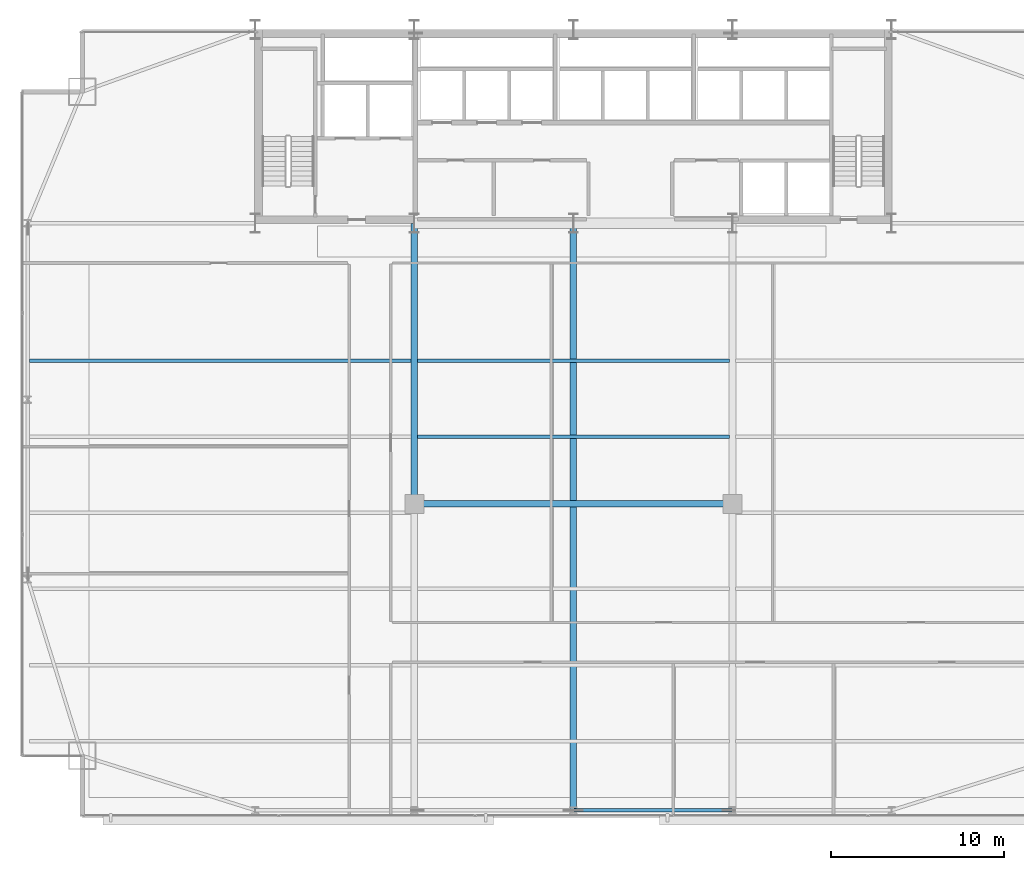
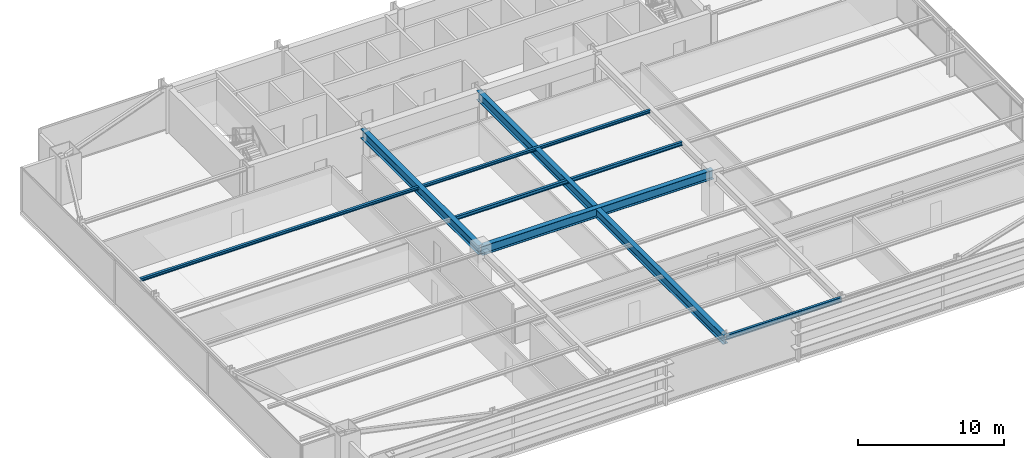
# One storey, part 11 of 32: 7 beams.
"""IFC4 building model written with IfcOpenShell, lengths in metres."""

from ifc_helpers import new_model, si_unit, direction, frame, origin, origin_2d, place, context, subcontext, project, spatial, i_section, extrude, source, transform, mapped, material, material_profile, profile_set, type_object, type_shapes, element, save


model = new_model("IFC4")

# Units and contexts
model_context = context("Model", 3, precision=1e-05, world=origin(), true_north=direction((0.0, 1.0)))
body_context = subcontext(model_context, "Body", "Model", "MODEL_VIEW")
ifc_project = project(units=[si_unit("LENGTHUNIT", "METRE"), si_unit("AREAUNIT", "SQUARE_METRE"), si_unit("VOLUMEUNIT", "CUBIC_METRE"), si_unit("PLANEANGLEUNIT", "RADIAN"), si_unit("MASSUNIT", "GRAM", prefix="KILO")], contexts=[model_context])

# Site, building, storey
site_placement = place(None, origin())
site = spatial("IfcSite", under=ifc_project, at=site_placement, CompositionType="ELEMENT")
building_placement = place(site_placement, origin())
building = spatial("IfcBuilding", under=site, at=building_placement, Name="Varnel Quay Broadcast Tower", CompositionType="ELEMENT")
storey_placement = place(building_placement, frame((0.0, 0.0, 54.89990234375)))
storey = spatial("IfcBuildingStorey", under=building, at=storey_placement, Name="L12", CompositionType="ELEMENT", Elevation=54.89990234375)

# Beams
ifc_material = material(Name="Structural Steel CSA G40.21 350W", Category="steel")
ifc_material_profile_1 = material_profile(ifc_material, i_section(OverallWidth=0.180908203125, OverallDepth=0.4169921875, WebThickness=0.010986328125, FlangeThickness=0.018310546875, FilletRadius=0.011962890625, at=origin_2d()), Name="W410X85")
ifc_profile_set_1 = profile_set([ifc_material_profile_1], Name="Structural Steel CSA G40.21 350W")
beam_type_1 = type_object("IfcBeamType", Name="Beam_W410X85", PredefinedType="SPANDREL", material=ifc_profile_set_1)
shared_shape_1 = source(origin(), body_context, "Body", "SweptSolid", [
    extrude(i_section(OverallWidth=0.180908203125, OverallDepth=0.4169921875, WebThickness=0.010986328125, FlangeThickness=0.018310546875, FilletRadius=0.011962890625, at=origin_2d()), origin(), (0.0, 0.0, 1.0), 9.159912109375),
])
type_shapes(beam_type_1, [shared_shape_1])
beam_1_placement = place(storey_placement, frame((34.02001953125, 1.64990234375, 3.441650390625), z_axis=(1.0, 0.0, 0.0), x_axis=(0.0, 1.0, 0.0)))
element("IfcBeam", 1, at=beam_1_placement, inside=storey, type_object=beam_type_1, Name="L12 South Spandrel TC-S3-TC-S4", PredefinedType="SPANDREL", context=body_context, shape_type="MappedRepresentation", body=[
    mapped(shared_shape_1, transform((0.0, 0.0, 0.0), x_axis=(1.0, 0.0, 0.0), y_axis=(0.0, 1.0, 0.0), z_axis=(0.0, 0.0, 1.0), scale=1.0)),
])
ifc_material_profile_2 = material_profile(ifc_material, i_section(OverallWidth=0.381103515625, OverallDepth=0.77294921875, WebThickness=0.0166015625, FlangeThickness=0.027587890625, FilletRadius=0.01806640625, at=origin_2d()), Name="W760X257")
ifc_profile_set_2 = profile_set([ifc_material_profile_2], Name="Structural Steel CSA G40.21 350W")
beam_type_2 = type_object("IfcBeamType", Name="Girder_W760X257", PredefinedType="BEAM", material=ifc_profile_set_2)
shared_shape_2 = source(origin(), body_context, "Body", "SweptSolid", [
    extrude(i_section(OverallWidth=0.381103515625, OverallDepth=0.77294921875, WebThickness=0.0166015625, FlangeThickness=0.027587890625, FilletRadius=0.01806640625, at=origin_2d()), origin(), (0.0, 0.0, 1.0), 16.190185546875),
])
beam_2_placement = place(storey_placement, frame((24.800048828125, 19.389892578125, 3.263671875), z_axis=(0.0, 1.0, 0.0), x_axis=(-1.0, 0.0, 0.0)))
element("IfcBeam", 2, at=beam_2_placement, inside=storey, type_object=beam_type_2, Name="L12 Primary Girder IC-01-CC-S2", PredefinedType="BEAM", context=body_context, shape_type="MappedRepresentation", body=[
    mapped(shared_shape_2, transform((0.0, 0.0, 0.0), x_axis=(1.0, 0.0, 0.0), y_axis=(0.0, 1.0, 0.0), z_axis=(0.0, 0.0, 1.0), scale=1.0)),
])
shared_shape_3 = source(origin(), body_context, "Body", "SweptSolid", [
    extrude(i_section(OverallWidth=0.381103515625, OverallDepth=0.77294921875, WebThickness=0.0166015625, FlangeThickness=0.027587890625, FilletRadius=0.01806640625, at=origin_2d()), origin(), (0.0, 0.0, 1.0), 18.35986328125),
])
beam_3_placement = place(storey_placement, frame((24.820068359375, 19.3701171875, 3.263671875), z_axis=(1.0, 0.0, 0.0), x_axis=(0.0, 1.0, 0.0)))
element("IfcBeam", 3, at=beam_3_placement, inside=storey, type_object=beam_type_2, Name="L12 Interior Spine Girder", PredefinedType="BEAM", context=body_context, shape_type="MappedRepresentation", body=[
    mapped(shared_shape_3, transform((0.0, 0.0, 0.0), x_axis=(1.0, 0.0, 0.0), y_axis=(0.0, 1.0, 0.0), z_axis=(0.0, 0.0, 1.0), scale=1.0)),
])
shared_shape_4 = source(origin(), body_context, "Body", "SweptSolid", [
    extrude(i_section(OverallWidth=0.381103515625, OverallDepth=0.77294921875, WebThickness=0.0166015625, FlangeThickness=0.027587890625, FilletRadius=0.01806640625, at=origin_2d()), origin(), (0.0, 0.0, 1.0), 33.91015625),
])
type_shapes(beam_type_2, [shared_shape_2, shared_shape_3, shared_shape_4])
beam_4_placement = place(storey_placement, frame((34.0, 1.669921875, 3.263671875), z_axis=(0.0, 1.0, 0.0), x_axis=(-1.0, 0.0, 0.0)))
element("IfcBeam", 4, at=beam_4_placement, inside=storey, type_object=beam_type_2, Name="L12 Central Bay Girder", PredefinedType="BEAM", context=body_context, shape_type="MappedRepresentation", body=[
    mapped(shared_shape_4, transform((0.0, 0.0, 0.0), x_axis=(1.0, 0.0, 0.0), y_axis=(0.0, 1.0, 0.0), z_axis=(0.0, 0.0, 1.0), scale=1.0)),
])
ifc_material_profile_3 = material_profile(ifc_material, i_section(OverallWidth=0.202880859375, OverallDepth=0.302978515625, WebThickness=0.007568359375, FlangeThickness=0.01318359375, FilletRadius=0.011962890625, at=origin_2d()), Name="W310X60")
ifc_profile_set_3 = profile_set([ifc_material_profile_3], Name="Structural Steel CSA G40.21 350W")
beam_type_3 = type_object("IfcBeamType", Name="Beam_W310X60", PredefinedType="JOIST", material=ifc_profile_set_3)
shared_shape_5 = source(origin(), body_context, "Body", "SweptSolid", [
    extrude(i_section(OverallWidth=0.202880859375, OverallDepth=0.302978515625, WebThickness=0.007568359375, FlangeThickness=0.01318359375, FilletRadius=0.011962890625, at=origin_2d()), origin(), (0.0, 0.0, 1.0), 18.02880859375),
])
type_shapes(beam_type_3, [shared_shape_5])
beam_5_placement = place(storey_placement, frame((24.985595703125, 23.25, 3.49853515625), z_axis=(1.0, 0.0, 0.0), x_axis=(0.0, 1.0, 0.0)))
element("IfcBeam", 5, at=beam_5_placement, inside=storey, type_object=beam_type_3, Name="L12 Central Floor Joist 5", PredefinedType="JOIST", context=body_context, shape_type="MappedRepresentation", body=[
    mapped(shared_shape_5, transform((0.0, 0.0, 0.0), x_axis=(1.0, 0.0, 0.0), y_axis=(0.0, 1.0, 0.0), z_axis=(0.0, 0.0, 1.0), scale=1.0)),
])
ifc_material_profile_4 = material_profile(ifc_material, i_section(OverallWidth=0.201904296875, OverallDepth=0.2470703125, WebThickness=0.00732421875, FlangeThickness=0.010986328125, FilletRadius=0.010986328125, at=origin_2d()), Name="W250X49")
ifc_profile_set_4 = profile_set([ifc_material_profile_4], Name="Structural Steel CSA G40.21 350W")
beam_type_4 = type_object("IfcBeamType", Name="Beam_W250X49", PredefinedType="JOIST", material=ifc_profile_set_4)
shared_shape_6 = source(origin(), body_context, "Body", "SweptSolid", [
    extrude(i_section(OverallWidth=0.201904296875, OverallDepth=0.2470703125, WebThickness=0.00732421875, FlangeThickness=0.010986328125, FilletRadius=0.010986328125, at=origin_2d()), origin(), (0.0, 0.0, 1.0), 22.0791015625),
])
beam_6_placement = place(storey_placement, frame((2.535400390625, 27.64990234375, 3.526611328125), z_axis=(1.0, 0.0, 0.0), x_axis=(0.0, 1.0, 0.0)))
element("IfcBeam", 6, at=beam_6_placement, inside=storey, type_object=beam_type_4, Name="L12 West Floor Joist 6", PredefinedType="JOIST", context=body_context, shape_type="MappedRepresentation", body=[
    mapped(shared_shape_6, transform((0.0, 0.0, 0.0), x_axis=(1.0, 0.0, 0.0), y_axis=(0.0, 1.0, 0.0), z_axis=(0.0, 0.0, 1.0), scale=1.0)),
])
shared_shape_7 = source(origin(), body_context, "Body", "SweptSolid", [
    extrude(i_section(OverallWidth=0.201904296875, OverallDepth=0.2470703125, WebThickness=0.00732421875, FlangeThickness=0.010986328125, FilletRadius=0.010986328125, at=origin_2d()), origin(), (0.0, 0.0, 1.0), 18.02880859375),
])
type_shapes(beam_type_4, [shared_shape_6, shared_shape_7])
beam_7_placement = place(storey_placement, frame((24.985595703125, 27.64990234375, 3.526611328125), z_axis=(1.0, 0.0, 0.0), x_axis=(0.0, 1.0, 0.0)))
element("IfcBeam", 7, at=beam_7_placement, inside=storey, type_object=beam_type_4, Name="L12 Central Floor Joist 6", PredefinedType="JOIST", context=body_context, shape_type="MappedRepresentation", body=[
    mapped(shared_shape_7, transform((0.0, 0.0, 0.0), x_axis=(1.0, 0.0, 0.0), y_axis=(0.0, 1.0, 0.0), z_axis=(0.0, 0.0, 1.0), scale=1.0)),
])

save(model, "model.ifc")
